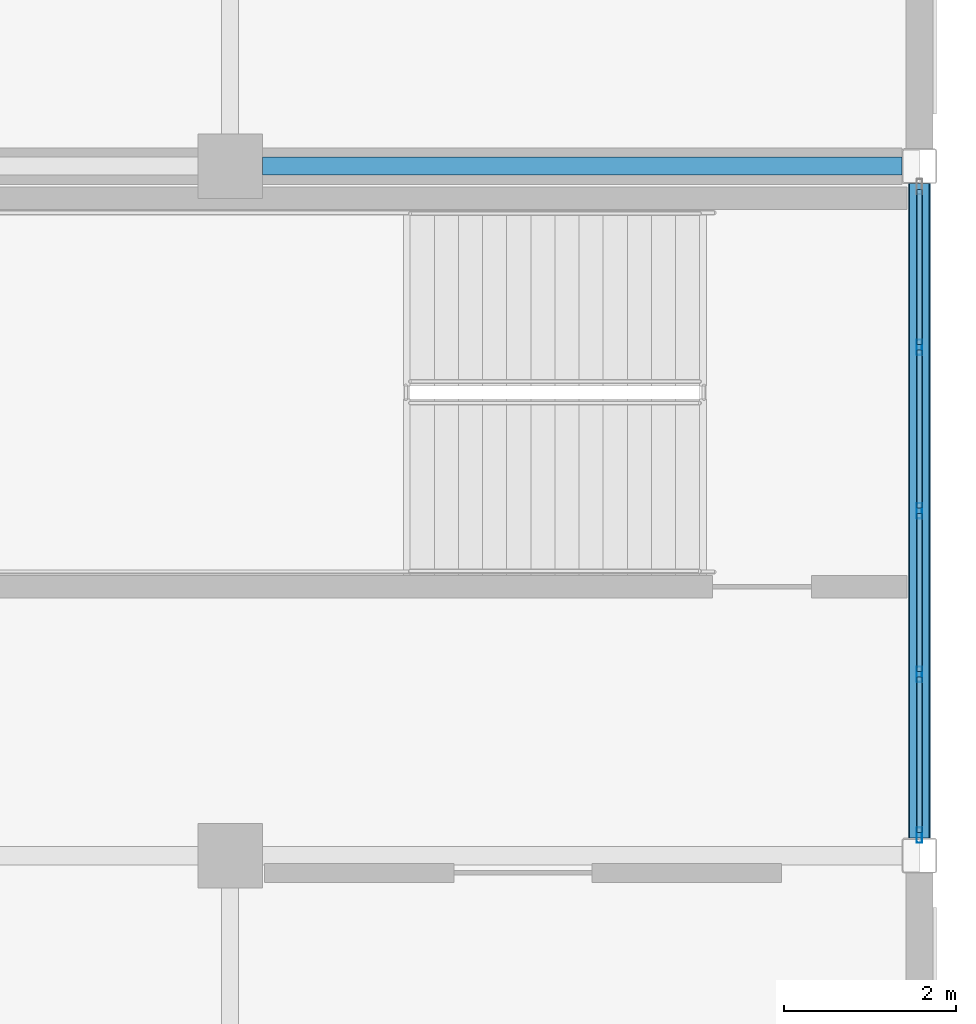
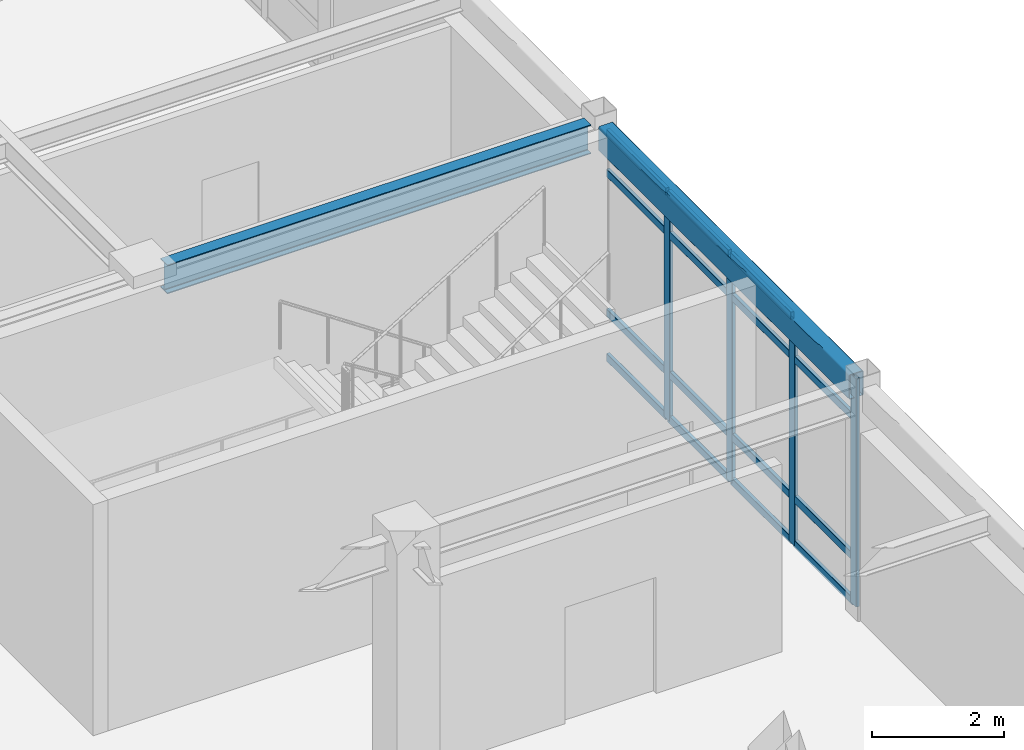
# One storey, part 71 of 111: 20 members, 2 beams, 1 element without a shape of its own.
"""IFC4 building model written with IfcOpenShell, lengths in metres."""

from ifc_helpers import new_model, si_unit, direction, frame, origin, origin_2d, place, context, subcontext, project, spatial, hollow_rectangle, i_section, extrude, material, material_profile, profile_set, type_object, element, aggregate, save


model = new_model("IFC4")

# Units and contexts
model_context = context("Model", 3, precision=1e-05, world=origin(), true_north=direction((0.0, 1.0)))
body_context = subcontext(model_context, "Body", "Model", "MODEL_VIEW")
ifc_project = project(units=[si_unit("LENGTHUNIT", "METRE"), si_unit("AREAUNIT", "SQUARE_METRE"), si_unit("VOLUMEUNIT", "CUBIC_METRE"), si_unit("PLANEANGLEUNIT", "RADIAN"), si_unit("MASSUNIT", "GRAM", prefix="KILO")], contexts=[model_context])

# Site, building, storey
site_placement = place(None, origin())
site = spatial("IfcSite", under=ifc_project, at=site_placement, CompositionType="ELEMENT")
building_placement = place(site_placement, origin())
building = spatial("IfcBuilding", under=site, at=building_placement, Name="Solmirada Galleria", CompositionType="ELEMENT")
storey_placement = place(building_placement, frame((0.0, 0.0, 10.39990234375)))
storey = spatial("IfcBuildingStorey", under=building, at=storey_placement, Name="L02", CompositionType="ELEMENT", Elevation=10.39990234375)

# Beams
ifc_material_1 = material(Name="Steel S355 / ASTM A992 Grade 50", Category="steel")
ifc_material_profile_1 = material_profile(ifc_material_1, i_section(OverallWidth=0.2099609375, OverallDepth=0.537109375, WebThickness=0.010986328125, FlangeThickness=0.017333984375, FilletRadius=0.014892578125, at=origin_2d()), Name="W21X68")
ifc_profile_set_1 = profile_set([ifc_material_profile_1], Name="Steel S355 / ASTM A992 Grade 50")
beam_type_1 = type_object("IfcBeamType", Name="BM-GIRD-W21B", PredefinedType="BEAM", material=ifc_profile_set_1)
beam_1_placement = place(storey_placement, frame((168.375, 104.0, 4.031494140625), z_axis=(1.0, 0.0, 0.0), x_axis=(0.0, 1.0, 0.0)))
element("IfcBeam", 1, at=beam_1_placement, inside=storey, type_object=beam_type_1, Name="Primary beam L03 X(168..176, 104)", PredefinedType="BEAM", context=body_context, shape_type="SweptSolid", body=[
    extrude(i_section(OverallWidth=0.2099609375, OverallDepth=0.537109375, WebThickness=0.010986328125, FlangeThickness=0.017333984375, FilletRadius=0.014892578125, at=origin_2d()), origin(), (0.0, 0.0, 1.0), 7.422119140625),
])
ifc_material_2 = material(Name="Steel S355 / ASTM A500 Grade C", Category="steel")
ifc_material_profile_2 = material_profile(ifc_material_2, hollow_rectangle(XDim=0.25390625, YDim=0.45703125, WallThickness=0.01171875, InnerFilletRadius=0.01171875, OuterFilletRadius=0.023681640625, at=origin_2d()), Name="HSS18X10X1/2")
ifc_profile_set_2 = profile_set([ifc_material_profile_2], Name="Steel S355 / ASTM A500 Grade C")
beam_type_2 = type_object("IfcBeamType", Name="BM-SPAND-W18", PredefinedType="SPANDREL", material=ifc_profile_set_2)
beam_2_placement = place(storey_placement, frame((176.0, 96.202880859375, 4.071533203125), z_axis=(0.0, 1.0, 0.0), x_axis=(-1.0, 0.0, 0.0)))
element("IfcBeam", 2, at=beam_2_placement, inside=storey, type_object=beam_type_2, Name="Primary girder L03 Y(176, 96..104)", PredefinedType="SPANDREL", context=body_context, shape_type="SweptSolid", body=[
    extrude(hollow_rectangle(XDim=0.25390625, YDim=0.45703125, WallThickness=0.01171875, InnerFilletRadius=0.01171875, OuterFilletRadius=0.023681640625, at=origin_2d()), origin(), (0.0, 0.0, 1.0), 7.59423828125),
])

# Curtain wall, members
ifc_material_3 = material(Name="Impact-resistant low-E double glazing", Category="glass")
curtain_wall_type = type_object("IfcCurtainWallType", Name="CW-FZ2-L02-B4-L076", PredefinedType="NOTDEFINED", material=ifc_material_3)
curtain_wall_placement = place(storey_placement, origin())
curtain_wall = element("IfcCurtainWall", 3, at=curtain_wall_placement, inside=storey, type_object=curtain_wall_type, Name="Terrace and arcade storefront CW-L02-101", PredefinedType="NOTDEFINED")
ifc_material_4 = material(Name="Anodised aluminium framing", Category="aluminium")
ifc_material_profile_3 = material_profile(ifc_material_4, hollow_rectangle(XDim=0.06494140625, YDim=0.179931640625, WallThickness=0.00390625, InnerFilletRadius=0.00390625, OuterFilletRadius=0.008056640625, at=origin_2d()), Name="ALU-MULL-180X65")
ifc_profile_set_3 = profile_set([ifc_material_profile_3], Name="Anodised aluminium framing")
member_type_1 = type_object("IfcMemberType", Name="CW-MULL-180", PredefinedType="MULLION", material=ifc_profile_set_3)
member_1_placement = place(storey_placement, frame((176.0, 101.8974609375, 0.0), z_axis=(0.0, 0.0, 1.0), x_axis=(1.0, 0.0, 0.0)))
member_1 = element("IfcMember", 4, at=member_1_placement, type_object=member_type_1, Name="CW24 mullion 2", PredefinedType="MULLION", context=body_context, shape_type="SweptSolid", body=[
    extrude(hollow_rectangle(XDim=0.06494140625, YDim=0.179931640625, WallThickness=0.00390625, InnerFilletRadius=0.00390625, OuterFilletRadius=0.008056640625, at=origin_2d()), origin(), (0.0, 0.0, 1.0), 4.22021484375),
])
member_2_placement = place(storey_placement, frame((176.0, 100.0, 0.0), z_axis=(0.0, 0.0, 1.0), x_axis=(1.0, 0.0, 0.0)))
member_2 = element("IfcMember", 5, at=member_2_placement, type_object=member_type_1, Name="CW24 mullion 3", PredefinedType="MULLION", context=body_context, shape_type="SweptSolid", body=[
    extrude(hollow_rectangle(XDim=0.06494140625, YDim=0.179931640625, WallThickness=0.00390625, InnerFilletRadius=0.00390625, OuterFilletRadius=0.008056640625, at=origin_2d()), origin(), (0.0, 0.0, 1.0), 4.22021484375),
])
member_3_placement = place(storey_placement, frame((176.0, 98.1025390625, 0.0), z_axis=(0.0, 0.0, 1.0), x_axis=(1.0, 0.0, 0.0)))
member_3 = element("IfcMember", 6, at=member_3_placement, type_object=member_type_1, Name="CW24 mullion 4", PredefinedType="MULLION", context=body_context, shape_type="SweptSolid", body=[
    extrude(hollow_rectangle(XDim=0.06494140625, YDim=0.179931640625, WallThickness=0.00390625, InnerFilletRadius=0.00390625, OuterFilletRadius=0.008056640625, at=origin_2d()), origin(), (0.0, 0.0, 1.0), 4.22021484375),
])
member_4_placement = place(storey_placement, frame((176.0, 96.237548828125, 0.0), z_axis=(0.0, 0.0, 1.0), x_axis=(1.0, 0.0, 0.0)))
member_4 = element("IfcMember", 7, at=member_4_placement, type_object=member_type_1, Name="CW24 mullion 5", PredefinedType="MULLION", context=body_context, shape_type="SweptSolid", body=[
    extrude(hollow_rectangle(XDim=0.06494140625, YDim=0.179931640625, WallThickness=0.00390625, InnerFilletRadius=0.00390625, OuterFilletRadius=0.008056640625, at=origin_2d()), origin(), (0.0, 0.0, 1.0), 4.22021484375),
])
ifc_material_profile_4 = material_profile(ifc_material_4, hollow_rectangle(XDim=0.06494140625, YDim=0.139892578125, WallThickness=0.00341796875, InnerFilletRadius=0.00341796875, OuterFilletRadius=0.007080078125, at=origin_2d()), Name="ALU-TRAN-140X65")
ifc_profile_set_4 = profile_set([ifc_material_profile_4], Name="Anodised aluminium framing")
member_type_2 = type_object("IfcMemberType", Name="CW-TRAN-140", PredefinedType="USERDEFINED", material=ifc_profile_set_4)
member_5_placement = place(storey_placement, frame((176.0, 103.72998046875, 0.03271484375), z_axis=(0.0, -1.0, 0.0), x_axis=(1.0, 0.0, 0.0)))
member_5 = element("IfcMember", 8, at=member_5_placement, type_object=member_type_2, Name="CW24 transom 1.1", ObjectType="TRANSOM", PredefinedType="USERDEFINED", context=body_context, shape_type="SweptSolid", body=[
    extrude(hollow_rectangle(XDim=0.06494140625, YDim=0.139892578125, WallThickness=0.00341796875, InnerFilletRadius=0.00341796875, OuterFilletRadius=0.007080078125, at=origin_2d()), origin(), (0.0, 0.0, 1.0), 1.800048828125),
])
member_6_placement = place(storey_placement, frame((176.0, 103.72998046875, 0.860107421875), z_axis=(0.0, -1.0, 0.0), x_axis=(1.0, 0.0, 0.0)))
member_6 = element("IfcMember", 9, at=member_6_placement, type_object=member_type_2, Name="CW24 transom 1.2", ObjectType="TRANSOM", PredefinedType="USERDEFINED", context=body_context, shape_type="SweptSolid", body=[
    extrude(hollow_rectangle(XDim=0.06494140625, YDim=0.139892578125, WallThickness=0.00341796875, InnerFilletRadius=0.00341796875, OuterFilletRadius=0.007080078125, at=origin_2d()), origin(), (0.0, 0.0, 1.0), 1.800048828125),
])
member_7_placement = place(storey_placement, frame((176.0, 103.72998046875, 3.4501953125), z_axis=(0.0, -1.0, 0.0), x_axis=(1.0, 0.0, 0.0)))
member_7 = element("IfcMember", 10, at=member_7_placement, type_object=member_type_2, Name="CW24 transom 1.3", ObjectType="TRANSOM", PredefinedType="USERDEFINED", context=body_context, shape_type="SweptSolid", body=[
    extrude(hollow_rectangle(XDim=0.06494140625, YDim=0.139892578125, WallThickness=0.00341796875, InnerFilletRadius=0.00341796875, OuterFilletRadius=0.007080078125, at=origin_2d()), origin(), (0.0, 0.0, 1.0), 1.800048828125),
])
member_8_placement = place(storey_placement, frame((176.0, 103.72998046875, 4.1875), z_axis=(0.0, -1.0, 0.0), x_axis=(1.0, 0.0, 0.0)))
member_8 = element("IfcMember", 11, at=member_8_placement, type_object=member_type_2, Name="CW24 transom 1.4", ObjectType="TRANSOM", PredefinedType="USERDEFINED", context=body_context, shape_type="SweptSolid", body=[
    extrude(hollow_rectangle(XDim=0.06494140625, YDim=0.139892578125, WallThickness=0.00341796875, InnerFilletRadius=0.00341796875, OuterFilletRadius=0.007080078125, at=origin_2d()), origin(), (0.0, 0.0, 1.0), 1.800048828125),
])
member_9_placement = place(storey_placement, frame((176.0, 101.864990234375, 0.03271484375), z_axis=(0.0, -1.0, 0.0), x_axis=(1.0, 0.0, 0.0)))
member_9 = element("IfcMember", 12, at=member_9_placement, type_object=member_type_2, Name="CW24 transom 2.1", ObjectType="TRANSOM", PredefinedType="USERDEFINED", context=body_context, shape_type="SweptSolid", body=[
    extrude(hollow_rectangle(XDim=0.06494140625, YDim=0.139892578125, WallThickness=0.00341796875, InnerFilletRadius=0.00341796875, OuterFilletRadius=0.007080078125, at=origin_2d()), origin(), (0.0, 0.0, 1.0), 1.83251953125),
])
member_10_placement = place(storey_placement, frame((176.0, 101.864990234375, 0.860107421875), z_axis=(0.0, -1.0, 0.0), x_axis=(1.0, 0.0, 0.0)))
member_10 = element("IfcMember", 13, at=member_10_placement, type_object=member_type_2, Name="CW24 transom 2.2", ObjectType="TRANSOM", PredefinedType="USERDEFINED", context=body_context, shape_type="SweptSolid", body=[
    extrude(hollow_rectangle(XDim=0.06494140625, YDim=0.139892578125, WallThickness=0.00341796875, InnerFilletRadius=0.00341796875, OuterFilletRadius=0.007080078125, at=origin_2d()), origin(), (0.0, 0.0, 1.0), 1.83251953125),
])
member_11_placement = place(storey_placement, frame((176.0, 101.864990234375, 3.4501953125), z_axis=(0.0, -1.0, 0.0), x_axis=(1.0, 0.0, 0.0)))
member_11 = element("IfcMember", 14, at=member_11_placement, type_object=member_type_2, Name="CW24 transom 2.3", ObjectType="TRANSOM", PredefinedType="USERDEFINED", context=body_context, shape_type="SweptSolid", body=[
    extrude(hollow_rectangle(XDim=0.06494140625, YDim=0.139892578125, WallThickness=0.00341796875, InnerFilletRadius=0.00341796875, OuterFilletRadius=0.007080078125, at=origin_2d()), origin(), (0.0, 0.0, 1.0), 1.83251953125),
])
member_12_placement = place(storey_placement, frame((176.0, 101.864990234375, 4.1875), z_axis=(0.0, -1.0, 0.0), x_axis=(1.0, 0.0, 0.0)))
member_12 = element("IfcMember", 15, at=member_12_placement, type_object=member_type_2, Name="CW24 transom 2.4", ObjectType="TRANSOM", PredefinedType="USERDEFINED", context=body_context, shape_type="SweptSolid", body=[
    extrude(hollow_rectangle(XDim=0.06494140625, YDim=0.139892578125, WallThickness=0.00341796875, InnerFilletRadius=0.00341796875, OuterFilletRadius=0.007080078125, at=origin_2d()), origin(), (0.0, 0.0, 1.0), 1.83251953125),
])
member_13_placement = place(storey_placement, frame((176.0, 99.967529296875, 0.03271484375), z_axis=(0.0, -1.0, 0.0), x_axis=(1.0, 0.0, 0.0)))
member_13 = element("IfcMember", 16, at=member_13_placement, type_object=member_type_2, Name="CW24 transom 3.1", ObjectType="TRANSOM", PredefinedType="USERDEFINED", context=body_context, shape_type="SweptSolid", body=[
    extrude(hollow_rectangle(XDim=0.06494140625, YDim=0.139892578125, WallThickness=0.00341796875, InnerFilletRadius=0.00341796875, OuterFilletRadius=0.007080078125, at=origin_2d()), origin(), (0.0, 0.0, 1.0), 1.83251953125),
])
member_14_placement = place(storey_placement, frame((176.0, 99.967529296875, 0.860107421875), z_axis=(0.0, -1.0, 0.0), x_axis=(1.0, 0.0, 0.0)))
member_14 = element("IfcMember", 17, at=member_14_placement, type_object=member_type_2, Name="CW24 transom 3.2", ObjectType="TRANSOM", PredefinedType="USERDEFINED", context=body_context, shape_type="SweptSolid", body=[
    extrude(hollow_rectangle(XDim=0.06494140625, YDim=0.139892578125, WallThickness=0.00341796875, InnerFilletRadius=0.00341796875, OuterFilletRadius=0.007080078125, at=origin_2d()), origin(), (0.0, 0.0, 1.0), 1.83251953125),
])
member_15_placement = place(storey_placement, frame((176.0, 99.967529296875, 3.4501953125), z_axis=(0.0, -1.0, 0.0), x_axis=(1.0, 0.0, 0.0)))
member_15 = element("IfcMember", 18, at=member_15_placement, type_object=member_type_2, Name="CW24 transom 3.3", ObjectType="TRANSOM", PredefinedType="USERDEFINED", context=body_context, shape_type="SweptSolid", body=[
    extrude(hollow_rectangle(XDim=0.06494140625, YDim=0.139892578125, WallThickness=0.00341796875, InnerFilletRadius=0.00341796875, OuterFilletRadius=0.007080078125, at=origin_2d()), origin(), (0.0, 0.0, 1.0), 1.83251953125),
])
member_16_placement = place(storey_placement, frame((176.0, 99.967529296875, 4.1875), z_axis=(0.0, -1.0, 0.0), x_axis=(1.0, 0.0, 0.0)))
member_16 = element("IfcMember", 19, at=member_16_placement, type_object=member_type_2, Name="CW24 transom 3.4", ObjectType="TRANSOM", PredefinedType="USERDEFINED", context=body_context, shape_type="SweptSolid", body=[
    extrude(hollow_rectangle(XDim=0.06494140625, YDim=0.139892578125, WallThickness=0.00341796875, InnerFilletRadius=0.00341796875, OuterFilletRadius=0.007080078125, at=origin_2d()), origin(), (0.0, 0.0, 1.0), 1.83251953125),
])
member_17_placement = place(storey_placement, frame((176.0, 98.070068359375, 0.03271484375), z_axis=(0.0, -1.0, 0.0), x_axis=(1.0, 0.0, 0.0)))
member_17 = element("IfcMember", 20, at=member_17_placement, type_object=member_type_2, Name="CW24 transom 4.1", ObjectType="TRANSOM", PredefinedType="USERDEFINED", context=body_context, shape_type="SweptSolid", body=[
    extrude(hollow_rectangle(XDim=0.06494140625, YDim=0.139892578125, WallThickness=0.00341796875, InnerFilletRadius=0.00341796875, OuterFilletRadius=0.007080078125, at=origin_2d()), origin(), (0.0, 0.0, 1.0), 1.800048828125),
])
member_18_placement = place(storey_placement, frame((176.0, 98.070068359375, 0.860107421875), z_axis=(0.0, -1.0, 0.0), x_axis=(1.0, 0.0, 0.0)))
member_18 = element("IfcMember", 21, at=member_18_placement, type_object=member_type_2, Name="CW24 transom 4.2", ObjectType="TRANSOM", PredefinedType="USERDEFINED", context=body_context, shape_type="SweptSolid", body=[
    extrude(hollow_rectangle(XDim=0.06494140625, YDim=0.139892578125, WallThickness=0.00341796875, InnerFilletRadius=0.00341796875, OuterFilletRadius=0.007080078125, at=origin_2d()), origin(), (0.0, 0.0, 1.0), 1.800048828125),
])
member_19_placement = place(storey_placement, frame((176.0, 98.070068359375, 3.4501953125), z_axis=(0.0, -1.0, 0.0), x_axis=(1.0, 0.0, 0.0)))
member_19 = element("IfcMember", 22, at=member_19_placement, type_object=member_type_2, Name="CW24 transom 4.3", ObjectType="TRANSOM", PredefinedType="USERDEFINED", context=body_context, shape_type="SweptSolid", body=[
    extrude(hollow_rectangle(XDim=0.06494140625, YDim=0.139892578125, WallThickness=0.00341796875, InnerFilletRadius=0.00341796875, OuterFilletRadius=0.007080078125, at=origin_2d()), origin(), (0.0, 0.0, 1.0), 1.800048828125),
])
member_20_placement = place(storey_placement, frame((176.0, 98.070068359375, 4.1875), z_axis=(0.0, -1.0, 0.0), x_axis=(1.0, 0.0, 0.0)))
member_20 = element("IfcMember", 23, at=member_20_placement, type_object=member_type_2, Name="CW24 transom 4.4", ObjectType="TRANSOM", PredefinedType="USERDEFINED", context=body_context, shape_type="SweptSolid", body=[
    extrude(hollow_rectangle(XDim=0.06494140625, YDim=0.139892578125, WallThickness=0.00341796875, InnerFilletRadius=0.00341796875, OuterFilletRadius=0.007080078125, at=origin_2d()), origin(), (0.0, 0.0, 1.0), 1.800048828125),
])
aggregate(curtain_wall, [member_1, member_2, member_3, member_4, member_5, member_6, member_7, member_8, member_9, member_10, member_11, member_12, member_13, member_14, member_15, member_16, member_17, member_18, member_19, member_20])

save(model, "model.ifc")
